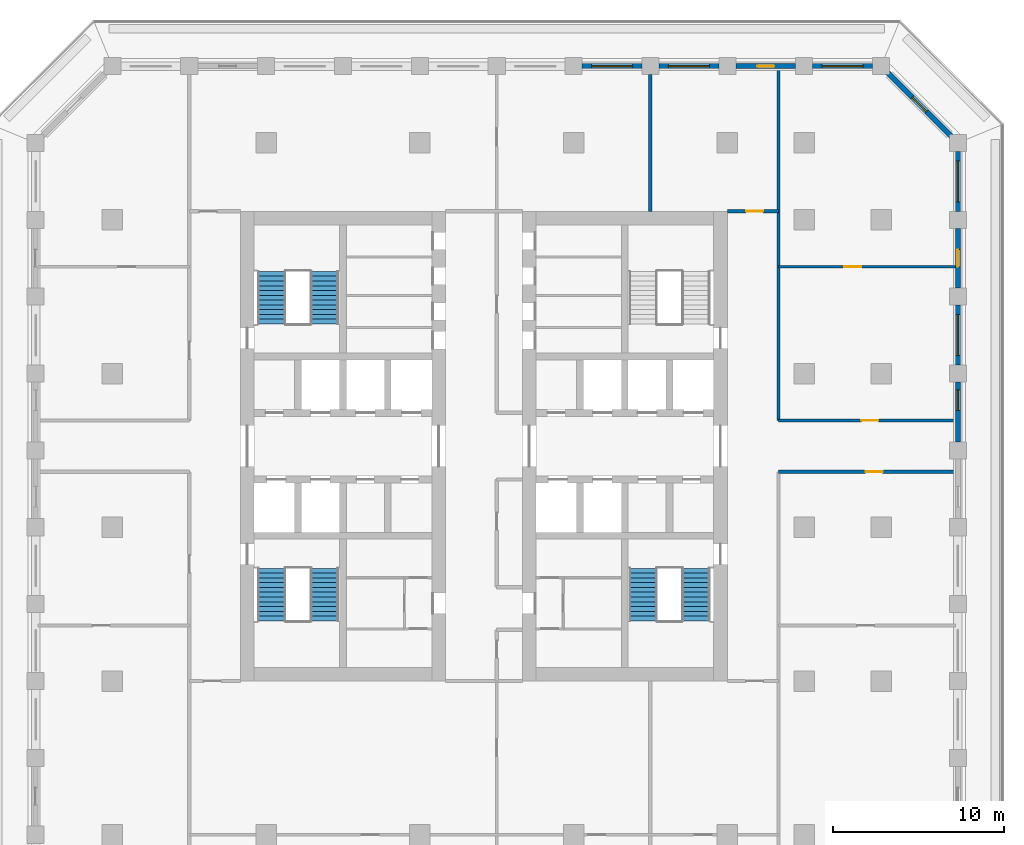
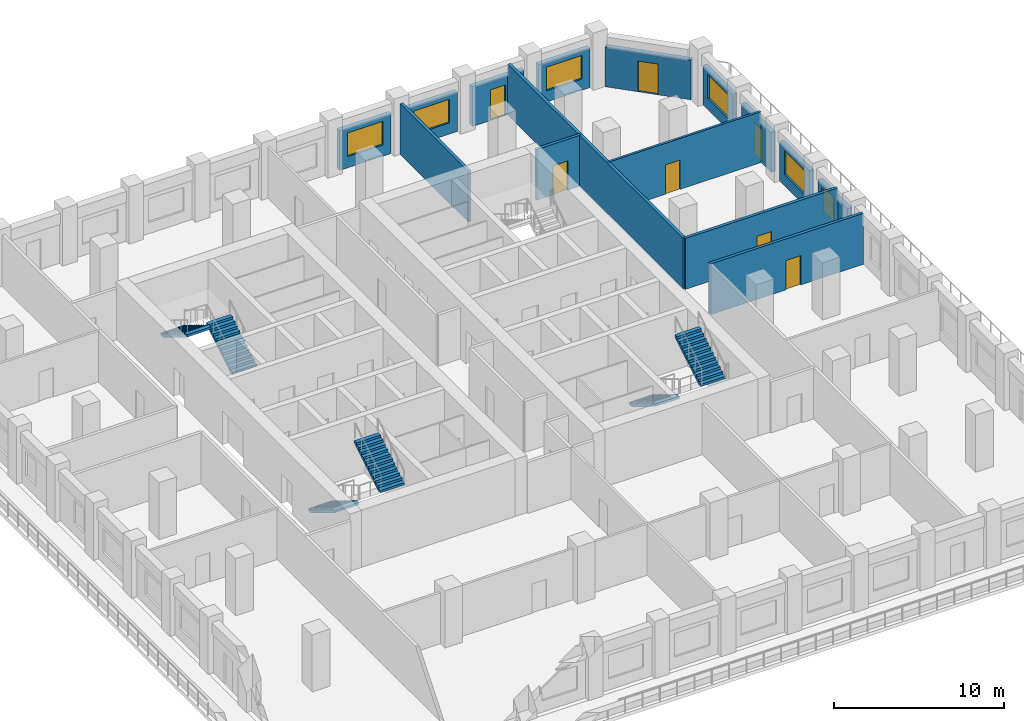
# One storey, part 7 of 16: 15 walls, 7 doors, 6 stair flights, 6 windows, 13 openings, 3 elements without a shape of their own.
"""IFC4 building model written with IfcOpenShell, lengths in metres."""

from ifc_helpers import new_model, si_unit, direction, frame, frame_2d, origin, place, context, subcontext, project, spatial, polyline, rectangle, outline, extrude, material, layer, layer_set, type_object, element, fill, aggregate, save


model = new_model("IFC4")

# Units and contexts
model_context = context("Model", 3, precision=1e-05, world=origin(), true_north=direction((0.0, 1.0)))
body_context = subcontext(model_context, "Body", "Model", "MODEL_VIEW")
ifc_project = project(units=[si_unit("LENGTHUNIT", "METRE"), si_unit("AREAUNIT", "SQUARE_METRE"), si_unit("VOLUMEUNIT", "CUBIC_METRE"), si_unit("PLANEANGLEUNIT", "RADIAN"), si_unit("MASSUNIT", "GRAM", prefix="KILO")], contexts=[model_context])

# Site, building, storey
site_placement = place(None, origin())
site = spatial("IfcSite", under=ifc_project, at=site_placement, CompositionType="ELEMENT")
building_placement = place(site_placement, origin())
building = spatial("IfcBuilding", under=site, at=building_placement, Name="Corbel Stack Research Tower", CompositionType="ELEMENT")
storey_placement = place(building_placement, frame((0.0, 0.0, 195.60009765625)))
storey = spatial("IfcBuildingStorey", under=building, at=storey_placement, Name="L44", CompositionType="ELEMENT", Elevation=195.60009765625)

# Walls
ifc_material_1 = material(Name="Fire-rated gypsum board partition on steel studs", Category="steel")
ifc_layer_1 = layer(ifc_material_1, 0.199951171875)
ifc_layer_set_1 = layer_set([ifc_layer_1], Name="Fire-rated gypsum board partition on steel studs")
wall_type_1 = type_object("IfcWallType", Name="Fire-rated partition 200 EI 60", PredefinedType="PARTITIONING", material=ifc_layer_set_1)
wall_1_placement = place(storey_placement, frame((13.5, 18.5, 0.0), z_axis=(0.0, 0.0, 1.0), x_axis=(0.0, 1.0, 0.0)))
element("IfcWall", 1, at=wall_1_placement, inside=storey, type_object=wall_type_1, Name="Partition L44-009", PredefinedType="PARTITIONING", context=body_context, shape_type="SweptSolid", body=[
    extrude(rectangle(XDim=8.0, YDim=0.199951171875, at=frame_2d((4.0, 0.0))), origin(), (0.0, 0.0, 1.0), 3.64990234375),
])
wall_2_placement = place(storey_placement, frame((21.0, 6.25, 0.0), z_axis=(0.0, 0.0, 1.0), x_axis=(0.0, 1.0, 0.0)))
element("IfcWall", 2, at=wall_2_placement, inside=storey, type_object=wall_type_1, Name="Partition L44-011", PredefinedType="PARTITIONING", context=body_context, shape_type="SweptSolid", body=[
    extrude(rectangle(XDim=20.60009765625, YDim=0.199951171875, at=frame_2d((10.300048828125, 0.0))), origin(), (0.0, 0.0, 1.0), 3.64990234375),
])

# Wall, opening, door
wall_3_placement = place(storey_placement, frame((31.35009765625, 3.25, 0.0), z_axis=(0.0, 0.0, 1.0), x_axis=(-1.0, 0.0, 0.0)))
wall_3 = element("IfcWall", 3, at=wall_3_placement, inside=storey, type_object=wall_type_1, Name="Partition L44-026", PredefinedType="PARTITIONING", context=body_context, shape_type="SweptSolid", body=[
    extrude(rectangle(XDim=10.35009765625, YDim=0.199951171875, at=frame_2d((5.175048828125, 0.0))), origin(), (0.0, 0.0, 1.0), 3.64990234375),
])
opening_1_placement = place(wall_3_placement, frame((4.25, 0.0, 0.0)))
opening_1 = element("IfcOpeningElement", 4, at=opening_1_placement, cuts=wall_3, Name="Opening B6V0-010", PredefinedType="OPENING", context=body_context, shape_type="SweptSolid", body=[
    extrude(rectangle(XDim=1.0, YDim=2.10009765625, at=frame_2d((0.5, 1.050048828125))), frame((0.0, 0.10986328125, 0.0), z_axis=(0.0, -1.0, 0.0), x_axis=(1.0, 0.0, 0.0)), (0.0, 0.0, 1.0), 0.219970703125),
])
ifc_material_2 = material(Name="Painted steel fire door", Category="steel")
door_type_1 = type_object("IfcDoorType", Name="Fire door FD30S 1000 x 2100", OperationType="NOTDEFINED", PredefinedType="DOOR", material=ifc_material_2)
door_1_placement = place(opening_1_placement, origin())
door_1 = element("IfcDoor", 5, at=door_1_placement, inside=storey, type_object=door_type_1, Name="Door B6V0-010", OperationType="SINGLE_SWING_LEFT", OverallHeight=2.10009765625, OverallWidth=1.0, PredefinedType="DOOR", context=body_context, shape_type="SweptSolid", body=[
    extrude(rectangle(XDim=1.0, YDim=2.10009765625, at=frame_2d((0.5, 1.050048828125))), frame((0.0, 0.02490234375, 0.0), z_axis=(0.0, -1.0, 0.0), x_axis=(1.0, 0.0, 0.0)), (0.0, 0.0, 1.0), 0.050048828125),
])
fill(opening_1, door_1)

wall_4_placement = place(storey_placement, frame((21.0, 6.25, 0.0), z_axis=(0.0, 0.0, 1.0), x_axis=(1.0, 0.0, 0.0)))
wall_4 = element("IfcWall", 6, at=wall_4_placement, inside=storey, type_object=wall_type_1, Name="Partition L44-028", PredefinedType="PARTITIONING", context=body_context, shape_type="SweptSolid", body=[
    extrude(rectangle(XDim=10.35009765625, YDim=0.199951171875, at=frame_2d((5.175048828125, 0.0))), origin(), (0.0, 0.0, 1.0), 3.64990234375),
])
opening_2_placement = place(wall_4_placement, frame((4.85009765625, 0.0, 0.0)))
opening_2 = element("IfcOpeningElement", 7, at=opening_2_placement, cuts=wall_4, Name="Opening B6V0-016", PredefinedType="OPENING", context=body_context, shape_type="SweptSolid", body=[
    extrude(rectangle(XDim=1.0, YDim=2.10009765625, at=frame_2d((0.5, 1.050048828125))), frame((0.0, 0.10986328125, 0.0), z_axis=(0.0, -1.0, 0.0), x_axis=(1.0, 0.0, 0.0)), (0.0, 0.0, 1.0), 0.219970703125),
])
door_2_placement = place(opening_2_placement, origin())
door_2 = element("IfcDoor", 8, at=door_2_placement, inside=storey, type_object=door_type_1, Name="Door B6V0-016", OperationType="SINGLE_SWING_RIGHT", OverallHeight=2.10009765625, OverallWidth=1.0, PredefinedType="DOOR", context=body_context, shape_type="SweptSolid", body=[
    extrude(rectangle(XDim=1.0, YDim=2.10009765625, at=frame_2d((0.5, 1.050048828125))), frame((0.0, 0.02490234375, 0.0), z_axis=(0.0, -1.0, 0.0), x_axis=(1.0, 0.0, 0.0)), (0.0, 0.0, 1.0), 0.050048828125),
])
fill(opening_2, door_2)

wall_5_placement = place(storey_placement, frame((18.0, 18.5, 0.0), z_axis=(0.0, 0.0, 1.0), x_axis=(1.0, 0.0, 0.0)))
wall_5 = element("IfcWall", 9, at=wall_5_placement, inside=storey, type_object=wall_type_1, Name="Partition L44-034", PredefinedType="PARTITIONING", context=body_context, shape_type="SweptSolid", body=[
    extrude(rectangle(XDim=3.0, YDim=0.199951171875, at=frame_2d((1.5, 0.0))), origin(), (0.0, 0.0, 1.0), 3.64990234375),
])
opening_3_placement = place(wall_5_placement, frame((1.10009765625, 0.0, 0.0)))
opening_3 = element("IfcOpeningElement", 10, at=opening_3_placement, cuts=wall_5, Name="Opening B6V0-020", PredefinedType="OPENING", context=body_context, shape_type="SweptSolid", body=[
    extrude(rectangle(XDim=1.0, YDim=2.10009765625, at=frame_2d((0.5, 1.050048828125))), frame((0.0, 0.10986328125, 0.0), z_axis=(0.0, -1.0, 0.0), x_axis=(1.0, 0.0, 0.0)), (0.0, 0.0, 1.0), 0.219970703125),
])
door_3_placement = place(opening_3_placement, origin())
door_3 = element("IfcDoor", 11, at=door_3_placement, inside=storey, type_object=door_type_1, Name="Door B6V0-020", OperationType="SINGLE_SWING_RIGHT", OverallHeight=2.10009765625, OverallWidth=1.0, PredefinedType="DOOR", context=body_context, shape_type="SweptSolid", body=[
    extrude(rectangle(XDim=1.0, YDim=2.10009765625, at=frame_2d((0.5, 1.050048828125))), frame((0.0, 0.02490234375, 0.0), z_axis=(0.0, -1.0, 0.0), x_axis=(1.0, 0.0, 0.0)), (0.0, 0.0, 1.0), 0.050048828125),
])
fill(opening_3, door_3)

ifc_material_3 = material(Name="Gypsum board partition on steel studs", Category="steel")
ifc_layer_2 = layer(ifc_material_3, 0.14990234375)
ifc_layer_set_2 = layer_set([ifc_layer_2], Name="Gypsum board partition on steel studs")
wall_type_2 = type_object("IfcWallType", Name="Partition 150", PredefinedType="PARTITIONING", material=ifc_layer_set_2)
wall_6_placement = place(storey_placement, frame((21.0, 15.25, 0.0), z_axis=(0.0, 0.0, 1.0), x_axis=(1.0, 0.0, 0.0)))
wall_6 = element("IfcWall", 12, at=wall_6_placement, inside=storey, type_object=wall_type_2, Name="Partition L44-031", PredefinedType="PARTITIONING", context=body_context, shape_type="SweptSolid", body=[
    extrude(rectangle(XDim=10.35009765625, YDim=0.14990234375, at=frame_2d((5.175048828125, 0.0))), origin(), (0.0, 0.0, 1.0), 3.64990234375),
])
opening_4_placement = place(wall_6_placement, frame((3.85009765625, 0.0, 0.0)))
opening_4 = element("IfcOpeningElement", 13, at=opening_4_placement, cuts=wall_6, Name="Opening B6V0-018", PredefinedType="OPENING", context=body_context, shape_type="SweptSolid", body=[
    extrude(rectangle(XDim=1.0, YDim=2.10009765625, at=frame_2d((0.5, 1.050048828125))), frame((0.0, 0.0849609375, 0.0), z_axis=(0.0, -1.0, 0.0), x_axis=(1.0, 0.0, 0.0)), (0.0, 0.0, 1.0), 0.169921875),
])
ifc_material_4 = material(Name="Painted timber door", Category="wood")
door_type_2 = type_object("IfcDoorType", Name="Single door 1000 x 2100", OperationType="NOTDEFINED", PredefinedType="DOOR", material=ifc_material_4)
door_4_placement = place(opening_4_placement, origin())
door_4 = element("IfcDoor", 14, at=door_4_placement, inside=storey, type_object=door_type_2, Name="Door B6V0-018", OperationType="SINGLE_SWING_LEFT", OverallHeight=2.10009765625, OverallWidth=1.0, PredefinedType="DOOR", context=body_context, shape_type="SweptSolid", body=[
    extrude(rectangle(XDim=1.0, YDim=2.10009765625, at=frame_2d((0.5, 1.050048828125))), frame((0.0, 0.02490234375, 0.0), z_axis=(0.0, -1.0, 0.0), x_axis=(1.0, 0.0, 0.0)), (0.0, 0.0, 1.0), 0.050048828125),
])
fill(opening_4, door_4)

# Wall, opening, window
ifc_material_5 = material(Name="Concrete C45/55", Category="concrete")
ifc_layer_3 = layer(ifc_material_5, 0.300048828125)
ifc_layer_set_3 = layer_set([ifc_layer_3], Name="Concrete C45/55")
wall_type_3 = type_object("IfcWallType", Name="Terracotta-faced concrete wall 300", PredefinedType="SOLIDWALL", material=ifc_layer_set_3)
wall_7_placement = place(storey_placement, frame((31.5, 8.5, 0.0), z_axis=(0.0, 0.0, 1.0), x_axis=(0.0, -1.0, 0.0)))
wall_7 = element("IfcWall", 15, at=wall_7_placement, inside=storey, type_object=wall_type_3, Name="Facade wall L44 E07", PredefinedType="SOLIDWALL", context=body_context, shape_type="SweptSolid", body=[
    extrude(rectangle(XDim=3.5, YDim=0.300048828125, at=frame_2d((1.75, 0.0))), origin(), (0.0, 0.0, 1.0), 2.849853515625),
])
opening_5_placement = place(wall_7_placement, frame((0.449951171875, 0.0, 0.800048828125)))
opening_5 = element("IfcOpeningElement", 16, at=opening_5_placement, cuts=wall_7, Name="Opening W2", PredefinedType="OPENING", context=body_context, shape_type="SweptSolid", body=[
    extrude(rectangle(XDim=1.199951171875, YDim=1.699951171875, at=frame_2d((0.60009765625, 0.85009765625))), frame((0.0, 0.159912109375, 0.0), z_axis=(0.0, -1.0, 0.0), x_axis=(1.0, 0.0, 0.0)), (0.0, 0.0, 1.0), 0.320068359375),
])
ifc_material_6 = material(Name="Aluminium frame, clear double glazing", Category="aluminium")
window_type_1 = type_object("IfcWindowType", Name="Window W2 1200 x 1700", PartitioningType="SINGLE_PANEL", PredefinedType="WINDOW", material=ifc_material_6)
window_1_placement = place(opening_5_placement, origin())
window_1 = element("IfcWindow", 17, at=window_1_placement, inside=storey, type_object=window_type_1, Name="Window W2 L44 E07", OverallHeight=1.699951171875, OverallWidth=1.199951171875, PartitioningType="SINGLE_PANEL", PredefinedType="WINDOW", context=body_context, shape_type="SweptSolid", body=[
    extrude(rectangle(XDim=1.199951171875, YDim=1.699951171875, at=frame_2d((0.60009765625, 0.85009765625))), frame((0.0, 0.030029296875, 0.0), z_axis=(0.0, -1.0, 0.0), x_axis=(1.0, 0.0, 0.0)), (0.0, 0.0, 1.0), 0.06005859375),
])
fill(opening_5, window_1)

wall_8_placement = place(storey_placement, frame((31.5, 13.0, 0.0), z_axis=(0.0, 0.0, 1.0), x_axis=(0.0, -1.0, 0.0)))
wall_8 = element("IfcWall", 18, at=wall_8_placement, inside=storey, type_object=wall_type_3, Name="Facade wall L44 E08", PredefinedType="SOLIDWALL", context=body_context, shape_type="SweptSolid", body=[
    extrude(rectangle(XDim=3.5, YDim=0.300048828125, at=frame_2d((1.75, 0.0))), origin(), (0.0, 0.0, 1.0), 2.849853515625),
])
opening_6_placement = place(wall_8_placement, frame((0.550048828125, 0.0, 0.800048828125)))
opening_6 = element("IfcOpeningElement", 19, at=opening_6_placement, cuts=wall_8, Name="Opening W1", PredefinedType="OPENING", context=body_context, shape_type="SweptSolid", body=[
    extrude(rectangle(XDim=2.39990234375, YDim=1.699951171875, at=frame_2d((1.199951171875, 0.85009765625))), frame((0.0, 0.159912109375, 0.0), z_axis=(0.0, -1.0, 0.0), x_axis=(1.0, 0.0, 0.0)), (0.0, 0.0, 1.0), 0.320068359375),
])
ifc_material_7 = material(Name="Aluminium frame, clear double glazing", Category="aluminium")
window_type_2 = type_object("IfcWindowType", Name="Window W1 2400 x 1700", PartitioningType="SINGLE_PANEL", PredefinedType="WINDOW", material=ifc_material_7)
window_2_placement = place(opening_6_placement, origin())
window_2 = element("IfcWindow", 20, at=window_2_placement, inside=storey, type_object=window_type_2, Name="Window W1 L44 E08", OverallHeight=1.699951171875, OverallWidth=2.39990234375, PartitioningType="SINGLE_PANEL", PredefinedType="WINDOW", context=body_context, shape_type="SweptSolid", body=[
    extrude(rectangle(XDim=2.39990234375, YDim=1.699951171875, at=frame_2d((1.199951171875, 0.85009765625))), frame((0.0, 0.030029296875, 0.0), z_axis=(0.0, -1.0, 0.0), x_axis=(1.0, 0.0, 0.0)), (0.0, 0.0, 1.0), 0.06005859375),
])
fill(opening_6, window_2)

# Wall, opening, door
wall_9_placement = place(storey_placement, frame((31.5, 17.5, 0.0), z_axis=(0.0, 0.0, 1.0), x_axis=(0.0, -1.0, 0.0)))
wall_9 = element("IfcWall", 21, at=wall_9_placement, inside=storey, type_object=wall_type_3, Name="Facade wall L44 E09", PredefinedType="SOLIDWALL", context=body_context, shape_type="SweptSolid", body=[
    extrude(rectangle(XDim=3.5, YDim=0.300048828125, at=frame_2d((1.75, 0.0))), origin(), (0.0, 0.0, 1.0), 2.849853515625),
])
opening_7_placement = place(wall_9_placement, frame((1.25, 0.0, 0.0)))
opening_7 = element("IfcOpeningElement", 22, at=opening_7_placement, cuts=wall_9, Name="Opening L44-B05", PredefinedType="OPENING", context=body_context, shape_type="SweptSolid", body=[
    extrude(rectangle(XDim=1.0, YDim=2.199951171875, at=frame_2d((0.5, 1.10009765625))), frame((0.0, 0.159912109375, 0.0), z_axis=(0.0, -1.0, 0.0), x_axis=(1.0, 0.0, 0.0)), (0.0, 0.0, 1.0), 0.320068359375),
])
ifc_material_8 = material(Name="Aluminium frame, clear double glazing", Category="aluminium")
door_type_3 = type_object("IfcDoorType", Name="Balcony door BD1 1000 x 2200", OperationType="NOTDEFINED", PredefinedType="DOOR", material=ifc_material_8)
door_5_placement = place(opening_7_placement, origin())
door_5 = element("IfcDoor", 23, at=door_5_placement, inside=storey, type_object=door_type_3, Name="Balcony door L44-B05", OperationType="SINGLE_SWING_LEFT", OverallHeight=2.199951171875, OverallWidth=1.0, PredefinedType="DOOR", context=body_context, shape_type="SweptSolid", body=[
    extrude(rectangle(XDim=1.0, YDim=2.199951171875, at=frame_2d((0.5, 1.10009765625))), frame((0.0, 0.02490234375, 0.0), z_axis=(0.0, -1.0, 0.0), x_axis=(1.0, 0.0, 0.0)), (0.0, 0.0, 1.0), 0.050048828125),
])
fill(opening_7, door_5)

# Wall, opening, window
wall_10_placement = place(storey_placement, frame((31.5, 22.0, 0.0), z_axis=(0.0, 0.0, 1.0), x_axis=(0.0, -1.0, 0.0)))
wall_10 = element("IfcWall", 24, at=wall_10_placement, inside=storey, type_object=wall_type_3, Name="Facade wall L44 E10", PredefinedType="SOLIDWALL", context=body_context, shape_type="SweptSolid", body=[
    extrude(rectangle(XDim=3.5, YDim=0.300048828125, at=frame_2d((1.75, 0.0))), origin(), (0.0, 0.0, 1.0), 2.849853515625),
])
opening_8_placement = place(wall_10_placement, frame((0.550048828125, 0.0, 0.800048828125)))
opening_8 = element("IfcOpeningElement", 25, at=opening_8_placement, cuts=wall_10, Name="Opening W1", PredefinedType="OPENING", context=body_context, shape_type="SweptSolid", body=[
    extrude(rectangle(XDim=2.39990234375, YDim=1.699951171875, at=frame_2d((1.199951171875, 0.85009765625))), frame((0.0, 0.159912109375, 0.0), z_axis=(0.0, -1.0, 0.0), x_axis=(1.0, 0.0, 0.0)), (0.0, 0.0, 1.0), 0.320068359375),
])
window_3_placement = place(opening_8_placement, origin())
window_3 = element("IfcWindow", 26, at=window_3_placement, inside=storey, type_object=window_type_2, Name="Window W1 L44 E10", OverallHeight=1.699951171875, OverallWidth=2.39990234375, PartitioningType="SINGLE_PANEL", PredefinedType="WINDOW", context=body_context, shape_type="SweptSolid", body=[
    extrude(rectangle(XDim=2.39990234375, YDim=1.699951171875, at=frame_2d((1.199951171875, 0.85009765625))), frame((0.0, 0.030029296875, 0.0), z_axis=(0.0, -1.0, 0.0), x_axis=(1.0, 0.0, 0.0)), (0.0, 0.0, 1.0), 0.06005859375),
])
fill(opening_8, window_3)

# Wall, opening, door
wall_11_placement = place(storey_placement, frame((27.393798828125, 26.606201171875, 0.0), z_axis=(0.0, 0.0, 1.0), x_axis=(0.707106781187, -0.707106781187, 0.0)))
wall_11 = element("IfcWall", 27, at=wall_11_placement, inside=storey, type_object=wall_type_3, Name="Facade wall L44 NE01", PredefinedType="SOLIDWALL", context=body_context, shape_type="SweptSolid", body=[
    extrude(rectangle(XDim=5.250244140625, YDim=0.300048828125, at=frame_2d((2.625, 0.0))), origin(), (0.0, 0.0, 1.0), 2.849853515625),
])
opening_9_placement = place(wall_11_placement, frame((2.02490234375, 0.0, 0.0)))
opening_9 = element("IfcOpeningElement", 28, at=opening_9_placement, cuts=wall_11, Name="Opening L44-B06", PredefinedType="OPENING", context=body_context, shape_type="SweptSolid", body=[
    extrude(rectangle(XDim=1.199951171875, YDim=2.199951171875, at=frame_2d((0.60009765625, 1.10009765625))), frame((0.0, 0.159912109375, 0.0), z_axis=(0.0, -1.0, 0.0), x_axis=(1.0, 0.0, 0.0)), (0.0, 0.0, 1.0), 0.320068359375),
])
ifc_material_9 = material(Name="Aluminium frame, clear double glazing", Category="aluminium")
door_type_4 = type_object("IfcDoorType", Name="Balcony door BD2 1200 x 2200", OperationType="NOTDEFINED", PredefinedType="DOOR", material=ifc_material_9)
door_6_placement = place(opening_9_placement, origin())
door_6 = element("IfcDoor", 29, at=door_6_placement, inside=storey, type_object=door_type_4, Name="Balcony door L44-B06", OperationType="SINGLE_SWING_LEFT", OverallHeight=2.199951171875, OverallWidth=1.199951171875, PredefinedType="DOOR", context=body_context, shape_type="SweptSolid", body=[
    extrude(rectangle(XDim=1.199951171875, YDim=2.199951171875, at=frame_2d((0.60009765625, 1.10009765625))), frame((0.0, 0.02490234375, 0.0), z_axis=(0.0, -1.0, 0.0), x_axis=(1.0, 0.0, 0.0)), (0.0, 0.0, 1.0), 0.050048828125),
])
fill(opening_9, door_6)

# Wall, opening, window
wall_12_placement = place(storey_placement, frame((23.0, 27.0, 0.0), z_axis=(0.0, 0.0, 1.0), x_axis=(1.0, 0.0, 0.0)))
wall_12 = element("IfcWall", 30, at=wall_12_placement, inside=storey, type_object=wall_type_3, Name="Facade wall L44 N01", PredefinedType="SOLIDWALL", context=body_context, shape_type="SweptSolid", body=[
    extrude(rectangle(XDim=3.5, YDim=0.300048828125, at=frame_2d((1.75, 0.0))), origin(), (0.0, 0.0, 1.0), 2.849853515625),
])
opening_10_placement = place(wall_12_placement, frame((0.550048828125, 0.0, 0.800048828125)))
opening_10 = element("IfcOpeningElement", 31, at=opening_10_placement, cuts=wall_12, Name="Opening W1", PredefinedType="OPENING", context=body_context, shape_type="SweptSolid", body=[
    extrude(rectangle(XDim=2.39990234375, YDim=1.699951171875, at=frame_2d((1.199951171875, 0.85009765625))), frame((0.0, 0.159912109375, 0.0), z_axis=(0.0, -1.0, 0.0), x_axis=(1.0, 0.0, 0.0)), (0.0, 0.0, 1.0), 0.320068359375),
])
window_4_placement = place(opening_10_placement, origin())
window_4 = element("IfcWindow", 32, at=window_4_placement, inside=storey, type_object=window_type_2, Name="Window W1 L44 N01", OverallHeight=1.699951171875, OverallWidth=2.39990234375, PartitioningType="SINGLE_PANEL", PredefinedType="WINDOW", context=body_context, shape_type="SweptSolid", body=[
    extrude(rectangle(XDim=2.39990234375, YDim=1.699951171875, at=frame_2d((1.199951171875, 0.85009765625))), frame((0.0, 0.030029296875, 0.0), z_axis=(0.0, -1.0, 0.0), x_axis=(1.0, 0.0, 0.0)), (0.0, 0.0, 1.0), 0.06005859375),
])
fill(opening_10, window_4)

# Wall, opening, door
wall_13_placement = place(storey_placement, frame((18.5, 27.0, 0.0), z_axis=(0.0, 0.0, 1.0), x_axis=(1.0, 0.0, 0.0)))
wall_13 = element("IfcWall", 33, at=wall_13_placement, inside=storey, type_object=wall_type_3, Name="Facade wall L44 N02", PredefinedType="SOLIDWALL", context=body_context, shape_type="SweptSolid", body=[
    extrude(rectangle(XDim=3.5, YDim=0.300048828125, at=frame_2d((1.75, 0.0))), origin(), (0.0, 0.0, 1.0), 2.849853515625),
])
opening_11_placement = place(wall_13_placement, frame((1.25, 0.0, 0.0)))
opening_11 = element("IfcOpeningElement", 34, at=opening_11_placement, cuts=wall_13, Name="Opening L44-B07", PredefinedType="OPENING", context=body_context, shape_type="SweptSolid", body=[
    extrude(rectangle(XDim=1.0, YDim=2.199951171875, at=frame_2d((0.5, 1.10009765625))), frame((0.0, 0.159912109375, 0.0), z_axis=(0.0, -1.0, 0.0), x_axis=(1.0, 0.0, 0.0)), (0.0, 0.0, 1.0), 0.320068359375),
])
door_7_placement = place(opening_11_placement, origin())
door_7 = element("IfcDoor", 35, at=door_7_placement, inside=storey, type_object=door_type_3, Name="Balcony door L44-B07", OperationType="SINGLE_SWING_RIGHT", OverallHeight=2.199951171875, OverallWidth=1.0, PredefinedType="DOOR", context=body_context, shape_type="SweptSolid", body=[
    extrude(rectangle(XDim=1.0, YDim=2.199951171875, at=frame_2d((0.5, 1.10009765625))), frame((0.0, 0.02490234375, 0.0), z_axis=(0.0, -1.0, 0.0), x_axis=(1.0, 0.0, 0.0)), (0.0, 0.0, 1.0), 0.050048828125),
])
fill(opening_11, door_7)

# Wall, opening, window
wall_14_placement = place(storey_placement, frame((14.0, 27.0, 0.0), z_axis=(0.0, 0.0, 1.0), x_axis=(1.0, 0.0, 0.0)))
wall_14 = element("IfcWall", 36, at=wall_14_placement, inside=storey, type_object=wall_type_3, Name="Facade wall L44 N03", PredefinedType="SOLIDWALL", context=body_context, shape_type="SweptSolid", body=[
    extrude(rectangle(XDim=3.5, YDim=0.300048828125, at=frame_2d((1.75, 0.0))), origin(), (0.0, 0.0, 1.0), 2.849853515625),
])
opening_12_placement = place(wall_14_placement, frame((0.550048828125, 0.0, 0.800048828125)))
opening_12 = element("IfcOpeningElement", 37, at=opening_12_placement, cuts=wall_14, Name="Opening W1", PredefinedType="OPENING", context=body_context, shape_type="SweptSolid", body=[
    extrude(rectangle(XDim=2.39990234375, YDim=1.699951171875, at=frame_2d((1.199951171875, 0.85009765625))), frame((0.0, 0.159912109375, 0.0), z_axis=(0.0, -1.0, 0.0), x_axis=(1.0, 0.0, 0.0)), (0.0, 0.0, 1.0), 0.320068359375),
])
window_5_placement = place(opening_12_placement, origin())
window_5 = element("IfcWindow", 38, at=window_5_placement, inside=storey, type_object=window_type_2, Name="Window W1 L44 N03", OverallHeight=1.699951171875, OverallWidth=2.39990234375, PartitioningType="SINGLE_PANEL", PredefinedType="WINDOW", context=body_context, shape_type="SweptSolid", body=[
    extrude(rectangle(XDim=2.39990234375, YDim=1.699951171875, at=frame_2d((1.199951171875, 0.85009765625))), frame((0.0, 0.030029296875, 0.0), z_axis=(0.0, -1.0, 0.0), x_axis=(1.0, 0.0, 0.0)), (0.0, 0.0, 1.0), 0.06005859375),
])
fill(opening_12, window_5)

wall_15_placement = place(storey_placement, frame((9.5, 27.0, 0.0), z_axis=(0.0, 0.0, 1.0), x_axis=(1.0, 0.0, 0.0)))
wall_15 = element("IfcWall", 39, at=wall_15_placement, inside=storey, type_object=wall_type_3, Name="Facade wall L44 N04", PredefinedType="SOLIDWALL", context=body_context, shape_type="SweptSolid", body=[
    extrude(rectangle(XDim=3.5, YDim=0.300048828125, at=frame_2d((1.75, 0.0))), origin(), (0.0, 0.0, 1.0), 2.849853515625),
])
opening_13_placement = place(wall_15_placement, frame((0.550048828125, 0.0, 0.800048828125)))
opening_13 = element("IfcOpeningElement", 40, at=opening_13_placement, cuts=wall_15, Name="Opening W1", PredefinedType="OPENING", context=body_context, shape_type="SweptSolid", body=[
    extrude(rectangle(XDim=2.39990234375, YDim=1.699951171875, at=frame_2d((1.199951171875, 0.85009765625))), frame((0.0, 0.159912109375, 0.0), z_axis=(0.0, -1.0, 0.0), x_axis=(1.0, 0.0, 0.0)), (0.0, 0.0, 1.0), 0.320068359375),
])
window_6_placement = place(opening_13_placement, origin())
window_6 = element("IfcWindow", 41, at=window_6_placement, inside=storey, type_object=window_type_2, Name="Window W1 L44 N04", OverallHeight=1.699951171875, OverallWidth=2.39990234375, PartitioningType="SINGLE_PANEL", PredefinedType="WINDOW", context=body_context, shape_type="SweptSolid", body=[
    extrude(rectangle(XDim=2.39990234375, YDim=1.699951171875, at=frame_2d((1.199951171875, 0.85009765625))), frame((0.0, 0.030029296875, 0.0), z_axis=(0.0, -1.0, 0.0), x_axis=(1.0, 0.0, 0.0)), (0.0, 0.0, 1.0), 0.06005859375),
])
fill(opening_13, window_6)

# Stair, stair flights
ifc_material_10 = material(Name="Concrete C40/50", Category="concrete")
stair_type = type_object("IfcStairType", Name="Exit stair 24 risers", PredefinedType="HALF_TURN_STAIR", material=ifc_material_10)
stair_1_placement = place(storey_placement, origin())
stair_1 = element("IfcStair", 42, at=stair_1_placement, inside=storey, type_object=stair_type, Name="L44 Exit stair ST-W1", PredefinedType="HALF_TURN_STAIR")
ifc_material_11 = material(Name="Concrete C40/50", Category="concrete")
stair_flight_type = type_object("IfcStairFlightType", Name="Stair flight 12 risers", PredefinedType="STRAIGHT", material=ifc_material_11)
stair_flight_1_placement = place(storey_placement, frame((-8.675048828125, -2.39990234375, 0.0), z_axis=(0.0, 0.0, 1.0), x_axis=(0.0, -1.0, 0.0)))
stair_flight_1 = element("IfcStairFlight", 43, at=stair_flight_1_placement, type_object=stair_flight_type, Name="ST-W1 flight 1", NumberOfRisers=12, NumberOfTreads=11, PredefinedType="STRAIGHT", RiserHeight=0.170833333, TreadLength=0.28, context=body_context, shape_type="SweptSolid", body=[
    extrude(outline(polyline([(0.0, 0.0), (0.0, 0.1708984375), (0.280029296875, 0.1708984375), (0.280029296875, 0.341552734375), (0.56005859375, 0.341552734375), (0.56005859375, 0.512451171875), (0.840087890625, 0.512451171875), (0.840087890625, 0.683349609375), (1.1201171875, 0.683349609375), (1.1201171875, 0.854248046875), (1.39990234375, 0.854248046875), (1.39990234375, 1.02490234375), (1.679931640625, 1.02490234375), (1.679931640625, 1.19580078125), (1.9599609375, 1.19580078125), (1.9599609375, 1.36669921875), (2.239990234375, 1.36669921875), (2.239990234375, 1.53759765625), (2.52001953125, 1.53759765625), (2.52001953125, 1.708251953125), (2.800048828125, 1.708251953125), (2.800048828125, 1.879150390625), (3.080078125, 1.879150390625), (3.080078125, 2.050048828125), (3.080078125, 1.70361328125), (0.287841796875, 0.0), (0.0, 0.0)])), frame((0.0, 0.824951171875, 0.0), z_axis=(0.0, -1.0, 0.0), x_axis=(1.0, 0.0, 0.0)), (0.0, 0.0, 1.0), 1.64990234375),
])
stair_flight_2_placement = place(storey_placement, frame((-5.574951171875, -5.47998046875, 2.0498046875), z_axis=(0.0, 0.0, 1.0), x_axis=(0.0, 1.0, 0.0)))
stair_flight_2 = element("IfcStairFlight", 44, at=stair_flight_2_placement, type_object=stair_flight_type, Name="ST-W1 flight 2", NumberOfRisers=12, NumberOfTreads=11, PredefinedType="STRAIGHT", RiserHeight=0.170833333, TreadLength=0.28, context=body_context, shape_type="SweptSolid", body=[
    extrude(outline(polyline([(0.0, 0.0), (0.0, 0.1708984375), (0.280029296875, 0.1708984375), (0.280029296875, 0.341552734375), (0.56005859375, 0.341552734375), (0.56005859375, 0.512451171875), (0.840087890625, 0.512451171875), (0.840087890625, 0.683349609375), (1.1201171875, 0.683349609375), (1.1201171875, 0.854248046875), (1.39990234375, 0.854248046875), (1.39990234375, 1.02490234375), (1.679931640625, 1.02490234375), (1.679931640625, 1.19580078125), (1.9599609375, 1.19580078125), (1.9599609375, 1.36669921875), (2.239990234375, 1.36669921875), (2.239990234375, 1.53759765625), (2.52001953125, 1.53759765625), (2.52001953125, 1.708251953125), (2.800048828125, 1.708251953125), (2.800048828125, 1.879150390625), (3.080078125, 1.879150390625), (3.080078125, 2.050048828125), (3.080078125, 1.70361328125), (0.287841796875, 0.0), (0.0, 0.0)])), frame((0.0, 0.824951171875, 0.0), z_axis=(0.0, -1.0, 0.0), x_axis=(1.0, 0.0, 0.0)), (0.0, 0.0, 1.0), 1.64990234375),
])
aggregate(stair_1, [stair_flight_1, stair_flight_2])

stair_2_placement = place(storey_placement, origin())
stair_2 = element("IfcStair", 45, at=stair_2_placement, inside=storey, type_object=stair_type, Name="L44 Exit stair ST-W2", PredefinedType="HALF_TURN_STAIR")
stair_flight_3_placement = place(storey_placement, frame((-5.574951171875, 11.89990234375, 0.0), z_axis=(0.0, 0.0, 1.0), x_axis=(0.0, 1.0, 0.0)))
stair_flight_3 = element("IfcStairFlight", 46, at=stair_flight_3_placement, type_object=stair_flight_type, Name="ST-W2 flight 1", NumberOfRisers=12, NumberOfTreads=11, PredefinedType="STRAIGHT", RiserHeight=0.170833333, TreadLength=0.28, context=body_context, shape_type="SweptSolid", body=[
    extrude(outline(polyline([(0.0, 0.0), (0.0, 0.1708984375), (0.280029296875, 0.1708984375), (0.280029296875, 0.341552734375), (0.56005859375, 0.341552734375), (0.56005859375, 0.512451171875), (0.840087890625, 0.512451171875), (0.840087890625, 0.683349609375), (1.1201171875, 0.683349609375), (1.1201171875, 0.854248046875), (1.39990234375, 0.854248046875), (1.39990234375, 1.02490234375), (1.679931640625, 1.02490234375), (1.679931640625, 1.19580078125), (1.9599609375, 1.19580078125), (1.9599609375, 1.36669921875), (2.239990234375, 1.36669921875), (2.239990234375, 1.53759765625), (2.52001953125, 1.53759765625), (2.52001953125, 1.708251953125), (2.800048828125, 1.708251953125), (2.800048828125, 1.879150390625), (3.080078125, 1.879150390625), (3.080078125, 2.050048828125), (3.080078125, 1.70361328125), (0.287841796875, 0.0), (0.0, 0.0)])), frame((0.0, 0.824951171875, 0.0), z_axis=(0.0, -1.0, 0.0), x_axis=(1.0, 0.0, 0.0)), (0.0, 0.0, 1.0), 1.64990234375),
])
stair_flight_4_placement = place(storey_placement, frame((-8.675048828125, 14.97998046875, 2.0498046875), z_axis=(0.0, 0.0, 1.0), x_axis=(0.0, -1.0, 0.0)))
stair_flight_4 = element("IfcStairFlight", 47, at=stair_flight_4_placement, type_object=stair_flight_type, Name="ST-W2 flight 2", NumberOfRisers=12, NumberOfTreads=11, PredefinedType="STRAIGHT", RiserHeight=0.170833333, TreadLength=0.28, context=body_context, shape_type="SweptSolid", body=[
    extrude(outline(polyline([(0.0, 0.0), (0.0, 0.1708984375), (0.280029296875, 0.1708984375), (0.280029296875, 0.341552734375), (0.56005859375, 0.341552734375), (0.56005859375, 0.512451171875), (0.840087890625, 0.512451171875), (0.840087890625, 0.683349609375), (1.1201171875, 0.683349609375), (1.1201171875, 0.854248046875), (1.39990234375, 0.854248046875), (1.39990234375, 1.02490234375), (1.679931640625, 1.02490234375), (1.679931640625, 1.19580078125), (1.9599609375, 1.19580078125), (1.9599609375, 1.36669921875), (2.239990234375, 1.36669921875), (2.239990234375, 1.53759765625), (2.52001953125, 1.53759765625), (2.52001953125, 1.708251953125), (2.800048828125, 1.708251953125), (2.800048828125, 1.879150390625), (3.080078125, 1.879150390625), (3.080078125, 2.050048828125), (3.080078125, 1.70361328125), (0.287841796875, 0.0), (0.0, 0.0)])), frame((0.0, 0.824951171875, 0.0), z_axis=(0.0, -1.0, 0.0), x_axis=(1.0, 0.0, 0.0)), (0.0, 0.0, 1.0), 1.64990234375),
])
aggregate(stair_2, [stair_flight_3, stair_flight_4])

stair_3_placement = place(storey_placement, origin())
stair_3 = element("IfcStair", 48, at=stair_3_placement, inside=storey, type_object=stair_type, Name="L44 Exit stair ST-E1", PredefinedType="HALF_TURN_STAIR")
stair_flight_5_placement = place(storey_placement, frame((13.074951171875, -2.39990234375, 0.0), z_axis=(0.0, 0.0, 1.0), x_axis=(0.0, -1.0, 0.0)))
stair_flight_5 = element("IfcStairFlight", 49, at=stair_flight_5_placement, type_object=stair_flight_type, Name="ST-E1 flight 1", NumberOfRisers=12, NumberOfTreads=11, PredefinedType="STRAIGHT", RiserHeight=0.170833333, TreadLength=0.28, context=body_context, shape_type="SweptSolid", body=[
    extrude(outline(polyline([(0.0, 0.0), (0.0, 0.1708984375), (0.280029296875, 0.1708984375), (0.280029296875, 0.341552734375), (0.56005859375, 0.341552734375), (0.56005859375, 0.512451171875), (0.840087890625, 0.512451171875), (0.840087890625, 0.683349609375), (1.1201171875, 0.683349609375), (1.1201171875, 0.854248046875), (1.39990234375, 0.854248046875), (1.39990234375, 1.02490234375), (1.679931640625, 1.02490234375), (1.679931640625, 1.19580078125), (1.9599609375, 1.19580078125), (1.9599609375, 1.36669921875), (2.239990234375, 1.36669921875), (2.239990234375, 1.53759765625), (2.52001953125, 1.53759765625), (2.52001953125, 1.708251953125), (2.800048828125, 1.708251953125), (2.800048828125, 1.879150390625), (3.080078125, 1.879150390625), (3.080078125, 2.050048828125), (3.080078125, 1.70361328125), (0.287841796875, 0.0), (0.0, 0.0)])), frame((0.0, 0.824951171875, 0.0), z_axis=(0.0, -1.0, 0.0), x_axis=(1.0, 0.0, 0.0)), (0.0, 0.0, 1.0), 1.64990234375),
])
stair_flight_6_placement = place(storey_placement, frame((16.175048828125, -5.47998046875, 2.0498046875), z_axis=(0.0, 0.0, 1.0), x_axis=(0.0, 1.0, 0.0)))
stair_flight_6 = element("IfcStairFlight", 50, at=stair_flight_6_placement, type_object=stair_flight_type, Name="ST-E1 flight 2", NumberOfRisers=12, NumberOfTreads=11, PredefinedType="STRAIGHT", RiserHeight=0.170833333, TreadLength=0.28, context=body_context, shape_type="SweptSolid", body=[
    extrude(outline(polyline([(0.0, 0.0), (0.0, 0.1708984375), (0.280029296875, 0.1708984375), (0.280029296875, 0.341552734375), (0.56005859375, 0.341552734375), (0.56005859375, 0.512451171875), (0.840087890625, 0.512451171875), (0.840087890625, 0.683349609375), (1.1201171875, 0.683349609375), (1.1201171875, 0.854248046875), (1.39990234375, 0.854248046875), (1.39990234375, 1.02490234375), (1.679931640625, 1.02490234375), (1.679931640625, 1.19580078125), (1.9599609375, 1.19580078125), (1.9599609375, 1.36669921875), (2.239990234375, 1.36669921875), (2.239990234375, 1.53759765625), (2.52001953125, 1.53759765625), (2.52001953125, 1.708251953125), (2.800048828125, 1.708251953125), (2.800048828125, 1.879150390625), (3.080078125, 1.879150390625), (3.080078125, 2.050048828125), (3.080078125, 1.70361328125), (0.287841796875, 0.0), (0.0, 0.0)])), frame((0.0, 0.824951171875, 0.0), z_axis=(0.0, -1.0, 0.0), x_axis=(1.0, 0.0, 0.0)), (0.0, 0.0, 1.0), 1.64990234375),
])
aggregate(stair_3, [stair_flight_5, stair_flight_6])

save(model, "model.ifc")
